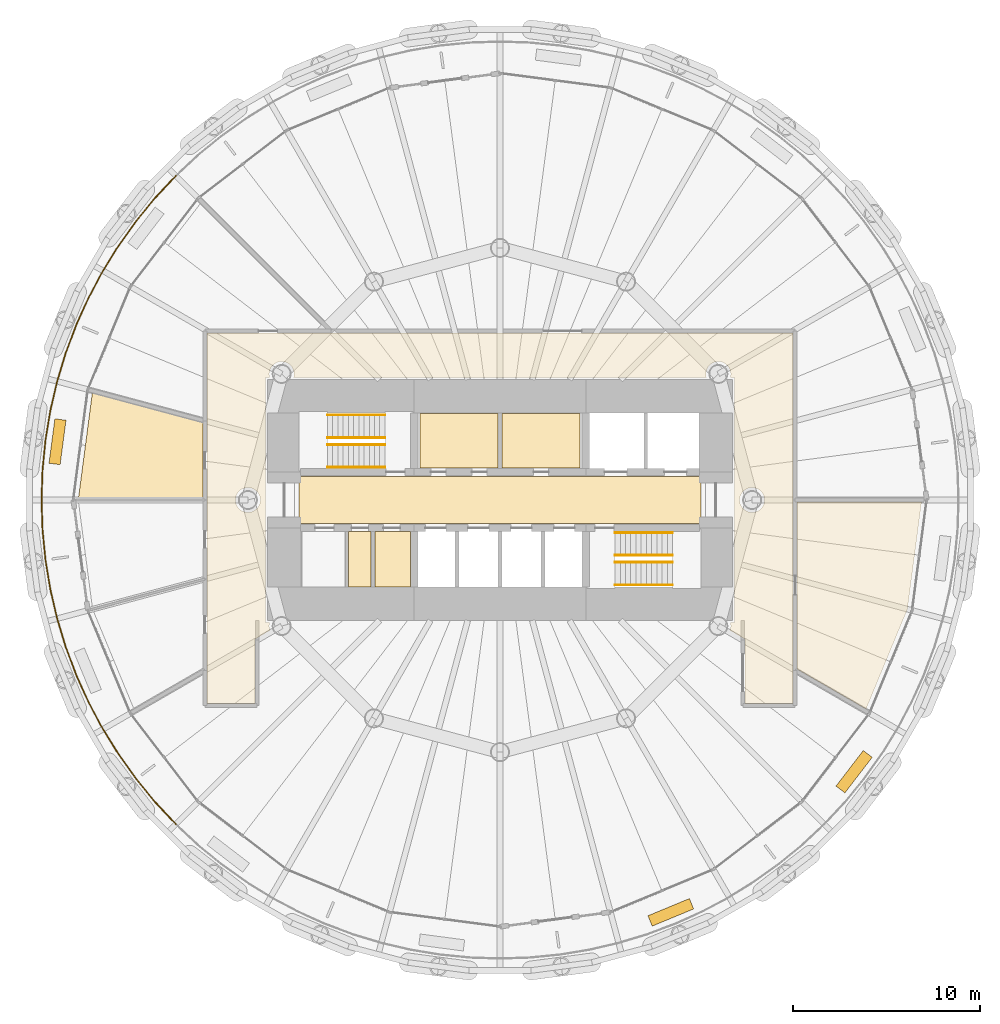
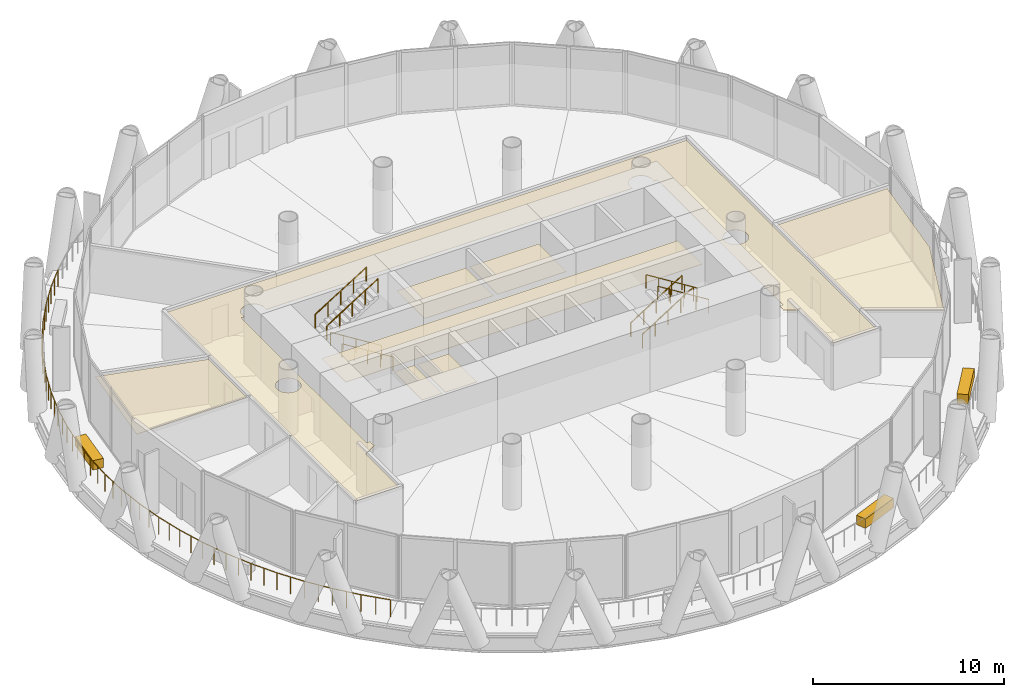
# One storey, part 13 of 15: 11 coverings, 9 railings.
"""IFC4 building model written with IfcOpenShell, lengths in metres."""

import ifcopenshell
import ifcopenshell.guid

model = None  # the IFC model being written
_history = None  # IfcOwnerHistory: only IFC2X3 demands one
_inside = {}  # id of a spatial element -> (the spatial element, [elements in it])
_under = {}  # id of a project, library or spatial element -> (it, [spatial elements below it])
_declared = {}  # id of a project -> (the project, [libraries it declares])
_typed = {}  # id of a type object -> (the type object, [elements of that type])
_made_of = {}  # id of a material, layer set ... -> (it, [elements and type objects made of it])


def new_model(schema):
    """Start an empty IFC model of exactly this schema.

    Asked for "IFC4X3", IfcOpenShell would pick the latest addendum, in which some entities
    have other attributes; the version numbers below select the first issue.
    IFC2X3 requires an IfcOwnerHistory on every rooted entity: one is made here for all.
    """
    global model, _history
    if schema == "IFC4X3":
        model = ifcopenshell.file(schema_version=(4, 3, 0, 0))
    else:
        model = ifcopenshell.file(schema=schema)
    _inside.clear()
    _under.clear()
    _declared.clear()
    _typed.clear()
    _made_of.clear()
    _history = None
    if model.schema == "IFC2X3":
        org = make("IfcOrganization", Name="unknown")
        user = make(
            "IfcPersonAndOrganization",
            ThePerson=make("IfcPerson", FamilyName="unknown"),
            TheOrganization=org,
        )
        app = make(
            "IfcApplication",
            ApplicationDeveloper=org,
            Version="unknown",
            ApplicationFullName="unknown",
            ApplicationIdentifier="unknown",
        )
        _history = make(
            "IfcOwnerHistory",
            OwningUser=user,
            OwningApplication=app,
            ChangeAction="ADDED",
            CreationDate=0,
        )
    return model


def make(cls, **values):
    """One entity of the class cls with the attributes given. An attribute that is None is left unset."""
    return model.create_entity(
        cls, **{name: value for name, value in values.items() if value is not None}
    )


def rooted(cls, **values):
    """An entity with a GlobalId (a new one), such as an element, a storey or a relation."""
    return make(cls, GlobalId=ifcopenshell.guid.new(), OwnerHistory=_history, **values)


def si_unit(unit_type, name, prefix=None):
    """IfcSIUnit, for example si_unit("LENGTHUNIT", "METRE", prefix="MILLI")."""
    return make("IfcSIUnit", UnitType=unit_type, Prefix=prefix, Name=name)


def assignment(units):
    """IfcUnitAssignment: the units of a project."""
    return None if units is None else make("IfcUnitAssignment", Units=units)


def point(xyz):
    """IfcCartesianPoint."""
    return None if xyz is None else make("IfcCartesianPoint", Coordinates=xyz)


def direction(xyz):
    """IfcDirection."""
    return None if xyz is None else make("IfcDirection", DirectionRatios=xyz)


def frame(location, z_axis=None, x_axis=None):
    """IfcAxis2Placement3D, a coordinate frame: its origin and axes. An axis left out is left unset."""
    return make(
        "IfcAxis2Placement3D",
        Location=point(location),
        Axis=direction(z_axis),
        RefDirection=direction(x_axis),
    )


def frame_2d(location, x_axis=None):
    """IfcAxis2Placement2D, a coordinate frame in the plane: its origin and x axis."""
    return make(
        "IfcAxis2Placement2D", Location=point(location), RefDirection=direction(x_axis)
    )


def origin():
    """The frame at (0, 0, 0) with its axes left unset."""
    return frame((0.0, 0.0, 0.0))


def origin_2d():
    """The frame at (0, 0) in the plane with its x axis left unset."""
    return frame_2d((0.0, 0.0))


def place(relative_to, where):
    """IfcLocalPlacement: puts the frame where relative to a parent placement (None: the world)."""
    return make(
        "IfcLocalPlacement", PlacementRelTo=relative_to, RelativePlacement=where
    )


def context(
    kind, dimensions, precision=None, world=None, true_north=None, identifier=None
):
    """IfcGeometricRepresentationContext, for example the 3D "Model" context."""
    return make(
        "IfcGeometricRepresentationContext",
        ContextIdentifier=identifier,
        ContextType=kind,
        CoordinateSpaceDimension=dimensions,
        Precision=precision,
        WorldCoordinateSystem=world,
        TrueNorth=true_north,
    )


def subcontext(parent, identifier, kind, view, scale=None):
    """IfcGeometricRepresentationSubContext, for example "Body" below "Model"."""
    return make(
        "IfcGeometricRepresentationSubContext",
        ContextIdentifier=identifier,
        ContextType=kind,
        ParentContext=parent,
        TargetScale=scale,
        TargetView=view,
    )


def project(units=None, contexts=None):
    """IfcProject with its units and contexts."""
    return rooted(
        "IfcProject",
        Name="project",
        RepresentationContexts=contexts,
        UnitsInContext=assignment(units),
    )


def spatial(cls, under=None, at=None, **own):
    """A site, building, storey or space (cls), placed at a placement, below another one or the project."""
    s = rooted(cls, ObjectPlacement=at, **own)
    if under is not None:
        _under.setdefault(under.id(), (under, []))[1].append(s)
    return s


def polyline(points):
    """IfcPolyline through the points."""
    return make("IfcPolyline", Points=[point(p) for p in points])


def profile(cls, at=None, kind="AREA", **sizes):
    """A parametric profile (cls). Its sizes go by their IFC names, for example OverallWidth=200.0."""
    return make(cls, ProfileType=kind, Position=at, **sizes)


def rectangle(**sizes):
    """IfcRectangleProfileDef."""
    return profile("IfcRectangleProfileDef", **sizes)


def circle(**sizes):
    """IfcCircleProfileDef."""
    return profile("IfcCircleProfileDef", **sizes)


def outline(outer, holes=None, kind="AREA"):
    """IfcArbitraryClosedProfileDef: a profile drawn as a closed curve; with holes, ...WithVoids."""
    if holes is None:
        return make("IfcArbitraryClosedProfileDef", ProfileType=kind, OuterCurve=outer)
    return make(
        "IfcArbitraryProfileDefWithVoids",
        ProfileType=kind,
        OuterCurve=outer,
        InnerCurves=holes,
    )


def extrude(swept, where, along, depth):
    """IfcExtrudedAreaSolid: the profile swept, set in the frame where, extruded along a direction by depth."""
    return make(
        "IfcExtrudedAreaSolid",
        SweptArea=swept,
        Position=where,
        ExtrudedDirection=direction(along),
        Depth=depth,
    )


def shape(context_of_items, identifier, shape_type, items):
    """IfcShapeRepresentation: the items that make up one representation, for example the "Body"."""
    return make(
        "IfcShapeRepresentation",
        ContextOfItems=context_of_items,
        RepresentationIdentifier=identifier,
        RepresentationType=shape_type,
        Items=items,
    )


def material(Name=None, Category=None):
    """IfcMaterial."""
    return make("IfcMaterial", Name=Name, Category=Category)


def layer(
    of_material, thickness, ventilated=None, Name=None, Category=None, Priority=None
):
    """IfcMaterialLayer: one layer of a wall or slab, of a material (None: an air gap)."""
    return make(
        "IfcMaterialLayer",
        Material=of_material,
        LayerThickness=thickness,
        IsVentilated=ventilated,
        Name=Name,
        Category=Category,
        Priority=Priority,
    )


def layer_set(layers, Name=None):
    """IfcMaterialLayerSet."""
    return make("IfcMaterialLayerSet", MaterialLayers=layers, LayerSetName=Name)


def made_of(thing, what):
    """Note that an element or type object is made of a material, layer set ...; save() writes the relation."""
    if what is not None:
        _made_of.setdefault(what.id(), (what, []))[1].append(thing)
    return thing


def type_object(cls, material=None, **own):
    """A type object (cls), such as IfcWallType, which elements share."""
    return made_of(rooted(cls, **own), material)


def element(
    cls,
    number,
    at=None,
    inside=None,
    cuts=None,
    type_object=None,
    material=None,
    context=None,
    identifier="Body",
    shape_type=None,
    held_by="IfcProductDefinitionShape",
    body=None,
    shapes=None,
    **own,
):
    """One element of the class cls, such as IfcWall. Its Tag is "e" and its number.

    at: its placement. inside: the storey or other place that contains it. cuts: it is an
    opening in that element (IfcRelVoidsElement). A single representation is given by context,
    identifier, shape_type and body (its items); several are given by shapes. held_by: the class
    of the entity that holds the representations. save() writes the other relations.
    """
    e = rooted(cls, Tag="e%d" % number, ObjectPlacement=at, **own)
    if body is not None:
        shapes = [shape(context, identifier, shape_type, body)]
    if shapes is not None:
        e.Representation = make(held_by, Representations=shapes)
    if inside is not None:
        _inside.setdefault(inside.id(), (inside, []))[1].append(e)
    if cuts is not None:
        rooted(
            "IfcRelVoidsElement", RelatingBuildingElement=cuts, RelatedOpeningElement=e
        )
    if type_object is not None:
        _typed.setdefault(type_object.id(), (type_object, []))[1].append(e)
    return made_of(e, material)


def aggregate(whole, parts):
    """IfcRelAggregates: a whole, such as a stair, and the parts it consists of."""
    return rooted("IfcRelAggregates", RelatingObject=whole, RelatedObjects=parts)


def save(model, path):
    """Write the relations noted so far, then the file.

    IfcRelAggregates (storeys below a building ...), IfcRelContainedInSpatialStructure (elements
    in a storey), IfcRelDefinesByType, IfcRelAssociatesMaterial and IfcRelDeclares: one each for
    every whole, place, type object, material and project.
    """
    for whole, parts in _under.values():
        aggregate(whole, parts)
    for where, things in _inside.values():
        rooted(
            "IfcRelContainedInSpatialStructure",
            RelatedElements=things,
            RelatingStructure=where,
        )
    for kind, things in _typed.values():
        rooted("IfcRelDefinesByType", RelatedObjects=things, RelatingType=kind)
    for what, things in _made_of.values():
        rooted("IfcRelAssociatesMaterial", RelatedObjects=things, RelatingMaterial=what)
    for by, libraries in _declared.values():
        rooted("IfcRelDeclares", RelatingContext=by, RelatedDefinitions=libraries)
    model.write(path)


model = new_model("IFC4")

# Units and contexts
model_context = context("Model", 3, precision=1e-05, world=origin(), true_north=direction((0.0, 1.0)))
body_context = subcontext(model_context, "Body", "Model", "MODEL_VIEW")
ifc_project = project(units=[si_unit("LENGTHUNIT", "METRE"), si_unit("AREAUNIT", "SQUARE_METRE"), si_unit("VOLUMEUNIT", "CUBIC_METRE"), si_unit("PLANEANGLEUNIT", "RADIAN"), si_unit("MASSUNIT", "GRAM", prefix="KILO")], contexts=[model_context])

# Site, building, storey
site_placement = place(None, origin())
site = spatial("IfcSite", under=ifc_project, at=site_placement, CompositionType="ELEMENT")
building_placement = place(site_placement, origin())
building = spatial("IfcBuilding", under=site, at=building_placement, Name="Qaws Media Tower", CompositionType="ELEMENT")
storey_placement = place(building_placement, frame((0.0, 0.0, 114.199951171875)))
storey = spatial("IfcBuildingStorey", under=building, at=storey_placement, Name="L25", CompositionType="ELEMENT", Elevation=114.199951171875)

# Railing
ifc_material_1 = material(Name="Stainless steel and glass guard", Category="steel")
railing_type_1 = type_object("IfcRailingType", Name="Balcony guard 1100", PredefinedType="GUARDRAIL", material=ifc_material_1)
railing_placement = place(storey_placement, frame((42.640625, 67.359375, 0.0)))
element("IfcRailing", 1, at=railing_placement, inside=storey, type_object=railing_type_1, Name="GR1 balcony guard L25-2", PredefinedType="GUARDRAIL", context=body_context, shape_type="SweptSolid", body=[
    extrude(circle(Radius=0.02392578125, at=origin_2d()), frame((0.0, 0.0, 1.076171875), z_axis=(-0.683708559442, -0.729755168358, 0.0), x_axis=(0.729755168358, -0.683708559442, 0.0)), (0.0, 0.0, 1.0), 1.6064453125),
    extrude(circle(Radius=0.02392578125, at=origin_2d()), frame((-1.098388671875, -1.17236328125, 1.076171875), z_axis=(-0.634321269282, -0.773069548835, 0.0), x_axis=(0.773069548835, -0.634321269282, 0.0)), (0.0, 0.0, 1.0), 1.6064453125),
    extrude(circle(Radius=0.02392578125, at=origin_2d()), frame((-2.117431640625, -2.414306640625, 1.076171875), z_axis=(-0.582473761618, -0.812849504538, 0.0), x_axis=(0.812849504538, -0.582473761618, 0.0)), (0.0, 0.0, 1.0), 1.606689453125),
    extrude(circle(Radius=0.02392578125, at=origin_2d()), frame((-3.05322265625, -3.72021484375, 1.076171875), z_axis=(-0.528085199, -0.849191393384, 0.0), x_axis=(0.849191393384, -0.528085199, 0.0)), (0.0, 0.0, 1.0), 1.6064453125),
    extrude(circle(Radius=0.02392578125, at=origin_2d()), frame((-3.901611328125, -5.08447265625, 1.076171875), z_axis=(-0.471424145356, -0.881906613636, 0.0), x_axis=(0.881906613636, -0.471424145356, 0.0)), (0.0, 0.0, 1.0), 1.6064453125),
    extrude(circle(Radius=0.02392578125, at=origin_2d()), frame((-4.658935546875, -6.501220703125, 1.076171875), z_axis=(-0.412600349797, -0.910912153474, 0.0), x_axis=(0.910912153474, -0.412600349797, 0.0)), (0.0, 0.0, 1.0), 1.6064453125),
    extrude(circle(Radius=0.02392578125, at=origin_2d()), frame((-5.32177734375, -7.964599609375, 1.076171875), z_axis=(-0.352289041388, -0.935891249728, 0.0), x_axis=(0.935891249728, -0.352289041388, 0.0)), (0.0, 0.0, 1.0), 1.6064453125),
    extrude(circle(Radius=0.02392578125, at=origin_2d()), frame((-5.8876953125, -9.468017578125, 1.076171875), z_axis=(-0.290260453496, -0.956947683594, 0.0), x_axis=(0.956947683594, -0.290260453496, 0.0)), (0.0, 0.0, 1.0), 1.6064453125),
    extrude(circle(Radius=0.02392578125, at=origin_2d()), frame((-6.35400390625, -11.00537109375, 1.076171875), z_axis=(-0.227200790134, -0.973847935236, 0.0), x_axis=(0.973847935236, -0.227200790134, 0.0)), (0.0, 0.0, 1.0), 1.6064453125),
    extrude(circle(Radius=0.02392578125, at=origin_2d()), frame((-6.718994140625, -12.56982421875, 1.076171875), z_axis=(-0.162895674781, -0.986643298836, 0.0), x_axis=(0.986643298836, -0.162895674781, 0.0)), (0.0, 0.0, 1.0), 1.606689453125),
    extrude(circle(Radius=0.02392578125, at=origin_2d()), frame((-6.980712890625, -14.155029296875, 1.076171875), z_axis=(-0.098028924866, -0.995183565926, 0.0), x_axis=(0.995183565926, -0.098028924866, 0.0)), (0.0, 0.0, 1.0), 1.6064453125),
    extrude(circle(Radius=0.02392578125, at=origin_2d()), frame((-7.13818359375, -15.753662109375, 1.076171875), z_axis=(-0.032672223792, -0.999466120383, 0.0), x_axis=(0.999466120383, -0.032672223792, 0.0)), (0.0, 0.0, 1.0), 1.606689453125),
    extrude(circle(Radius=0.02392578125, at=origin_2d()), frame((-7.190673828125, -17.359375, 1.076171875), z_axis=(0.032672223792, -0.999466120383, 0.0), x_axis=(0.999466120383, 0.032672223792, 0.0)), (0.0, 0.0, 1.0), 1.606689453125),
    extrude(circle(Radius=0.02392578125, at=origin_2d()), frame((-7.13818359375, -18.965087890625, 1.076171875), z_axis=(0.098028924866, -0.995183565926, 0.0), x_axis=(0.995183565926, 0.098028924866, 0.0)), (0.0, 0.0, 1.0), 1.6064453125),
    extrude(circle(Radius=0.02392578125, at=origin_2d()), frame((-6.980712890625, -20.563720703125, 1.076171875), z_axis=(0.162895674781, -0.986643298836, 0.0), x_axis=(0.986643298836, 0.162895674781, 0.0)), (0.0, 0.0, 1.0), 1.606689453125),
    extrude(circle(Radius=0.02392578125, at=origin_2d()), frame((-6.718994140625, -22.14892578125, 1.076171875), z_axis=(0.227200790134, -0.973847935236, 0.0), x_axis=(0.973847935236, 0.227200790134, 0.0)), (0.0, 0.0, 1.0), 1.6064453125),
    extrude(circle(Radius=0.02392578125, at=origin_2d()), frame((-6.35400390625, -23.71337890625, 1.076171875), z_axis=(0.290260453496, -0.956947683594, 0.0), x_axis=(0.956947683594, 0.290260453496, 0.0)), (0.0, 0.0, 1.0), 1.6064453125),
    extrude(circle(Radius=0.02392578125, at=origin_2d()), frame((-5.8876953125, -25.250732421875, 1.076171875), z_axis=(0.352289041388, -0.935891249728, 0.0), x_axis=(0.935891249728, 0.352289041388, 0.0)), (0.0, 0.0, 1.0), 1.6064453125),
    extrude(circle(Radius=0.02392578125, at=origin_2d()), frame((-5.32177734375, -26.754150390625, 1.076171875), z_axis=(0.412600349797, -0.910912153474, 0.0), x_axis=(0.910912153474, 0.412600349797, 0.0)), (0.0, 0.0, 1.0), 1.6064453125),
    extrude(circle(Radius=0.02392578125, at=origin_2d()), frame((-4.658935546875, -28.217529296875, 1.076171875), z_axis=(0.471424145356, -0.881906613636, 0.0), x_axis=(0.881906613636, 0.471424145356, 0.0)), (0.0, 0.0, 1.0), 1.6064453125),
    extrude(circle(Radius=0.02392578125, at=origin_2d()), frame((-3.901611328125, -29.63427734375, 1.076171875), z_axis=(0.528085199, -0.849191393384, 0.0), x_axis=(0.849191393384, 0.528085199, 0.0)), (0.0, 0.0, 1.0), 1.6064453125),
    extrude(circle(Radius=0.02392578125, at=origin_2d()), frame((-3.05322265625, -30.99853515625, 1.076171875), z_axis=(0.582473761618, -0.812849504538, 0.0), x_axis=(0.812849504538, 0.582473761618, 0.0)), (0.0, 0.0, 1.0), 1.606689453125),
    extrude(circle(Radius=0.02392578125, at=origin_2d()), frame((-2.117431640625, -32.304443359375, 1.076171875), z_axis=(0.634321269282, -0.773069548835, 0.0), x_axis=(0.773069548835, 0.634321269282, 0.0)), (0.0, 0.0, 1.0), 1.6064453125),
    extrude(circle(Radius=0.02392578125, at=origin_2d()), frame((-1.098388671875, -33.54638671875, 1.076171875), z_axis=(0.683708559442, -0.729755168358, 0.0), x_axis=(0.729755168358, 0.683708559442, 0.0)), (0.0, 0.0, 1.0), 1.6064453125),
    extrude(circle(Radius=0.02099609375, at=origin_2d()), origin(), (0.0, 0.0, 1.0), 1.052001953125),
    extrude(circle(Radius=0.02099609375, at=origin_2d()), frame((-0.54931640625, -0.586181640625, 0.0)), (0.0, 0.0, 1.0), 1.052001953125),
    extrude(circle(Radius=0.02099609375, at=origin_2d()), frame((-1.098388671875, -1.17236328125, 0.0)), (0.0, 0.0, 1.0), 1.052001953125),
    extrude(circle(Radius=0.02099609375, at=origin_2d()), frame((-1.60791015625, -1.79345703125, 0.0)), (0.0, 0.0, 1.0), 1.052001953125),
    extrude(circle(Radius=0.02099609375, at=origin_2d()), frame((-2.117431640625, -2.414306640625, 0.0)), (0.0, 0.0, 1.0), 1.052001953125),
    extrude(circle(Radius=0.02099609375, at=origin_2d()), frame((-2.58544921875, -3.0673828125, 0.0)), (0.0, 0.0, 1.0), 1.052001953125),
    extrude(circle(Radius=0.02099609375, at=origin_2d()), frame((-3.05322265625, -3.72021484375, 0.0)), (0.0, 0.0, 1.0), 1.052001953125),
    extrude(circle(Radius=0.02099609375, at=origin_2d()), frame((-3.4775390625, -4.40234375, 0.0)), (0.0, 0.0, 1.0), 1.052001953125),
    extrude(circle(Radius=0.02099609375, at=origin_2d()), frame((-3.901611328125, -5.08447265625, 0.0)), (0.0, 0.0, 1.0), 1.052001953125),
    extrude(circle(Radius=0.02099609375, at=origin_2d()), frame((-4.2802734375, -5.79296875, 0.0)), (0.0, 0.0, 1.0), 1.052001953125),
    extrude(circle(Radius=0.02099609375, at=origin_2d()), frame((-4.658935546875, -6.501220703125, 0.0)), (0.0, 0.0, 1.0), 1.052001953125),
    extrude(circle(Radius=0.02099609375, at=origin_2d()), frame((-4.990234375, -7.23291015625, 0.0)), (0.0, 0.0, 1.0), 1.052001953125),
    extrude(circle(Radius=0.02099609375, at=origin_2d()), frame((-5.32177734375, -7.964599609375, 0.0)), (0.0, 0.0, 1.0), 1.052001953125),
    extrude(circle(Radius=0.02099609375, at=origin_2d()), frame((-5.604736328125, -8.71630859375, 0.0)), (0.0, 0.0, 1.0), 1.052001953125),
    extrude(circle(Radius=0.02099609375, at=origin_2d()), frame((-5.8876953125, -9.468017578125, 0.0)), (0.0, 0.0, 1.0), 1.052001953125),
    extrude(circle(Radius=0.02099609375, at=origin_2d()), frame((-6.120849609375, -10.23681640625, 0.0)), (0.0, 0.0, 1.0), 1.052001953125),
    extrude(circle(Radius=0.02099609375, at=origin_2d()), frame((-6.35400390625, -11.00537109375, 0.0)), (0.0, 0.0, 1.0), 1.052001953125),
    extrude(circle(Radius=0.02099609375, at=origin_2d()), frame((-6.53662109375, -11.78759765625, 0.0)), (0.0, 0.0, 1.0), 1.052001953125),
    extrude(circle(Radius=0.02099609375, at=origin_2d()), frame((-6.718994140625, -12.56982421875, 0.0)), (0.0, 0.0, 1.0), 1.052001953125),
    extrude(circle(Radius=0.02099609375, at=origin_2d()), frame((-6.849853515625, -13.3623046875, 0.0)), (0.0, 0.0, 1.0), 1.052001953125),
    extrude(circle(Radius=0.02099609375, at=origin_2d()), frame((-6.980712890625, -14.155029296875, 0.0)), (0.0, 0.0, 1.0), 1.052001953125),
    extrude(circle(Radius=0.02099609375, at=origin_2d()), frame((-7.0595703125, -14.954345703125, 0.0)), (0.0, 0.0, 1.0), 1.052001953125),
    extrude(circle(Radius=0.02099609375, at=origin_2d()), frame((-7.13818359375, -15.753662109375, 0.0)), (0.0, 0.0, 1.0), 1.052001953125),
    extrude(circle(Radius=0.02099609375, at=origin_2d()), frame((-7.16455078125, -16.556640625, 0.0)), (0.0, 0.0, 1.0), 1.052001953125),
    extrude(circle(Radius=0.02099609375, at=origin_2d()), frame((-7.190673828125, -17.359375, 0.0)), (0.0, 0.0, 1.0), 1.052001953125),
    extrude(circle(Radius=0.02099609375, at=origin_2d()), frame((-7.16455078125, -18.162109375, 0.0)), (0.0, 0.0, 1.0), 1.052001953125),
    extrude(circle(Radius=0.02099609375, at=origin_2d()), frame((-7.13818359375, -18.965087890625, 0.0)), (0.0, 0.0, 1.0), 1.052001953125),
    extrude(circle(Radius=0.02099609375, at=origin_2d()), frame((-7.0595703125, -19.764404296875, 0.0)), (0.0, 0.0, 1.0), 1.052001953125),
    extrude(circle(Radius=0.02099609375, at=origin_2d()), frame((-6.980712890625, -20.563720703125, 0.0)), (0.0, 0.0, 1.0), 1.052001953125),
    extrude(circle(Radius=0.02099609375, at=origin_2d()), frame((-6.849853515625, -21.3564453125, 0.0)), (0.0, 0.0, 1.0), 1.052001953125),
    extrude(circle(Radius=0.02099609375, at=origin_2d()), frame((-6.718994140625, -22.14892578125, 0.0)), (0.0, 0.0, 1.0), 1.052001953125),
    extrude(circle(Radius=0.02099609375, at=origin_2d()), frame((-6.53662109375, -22.93115234375, 0.0)), (0.0, 0.0, 1.0), 1.052001953125),
    extrude(circle(Radius=0.02099609375, at=origin_2d()), frame((-6.35400390625, -23.71337890625, 0.0)), (0.0, 0.0, 1.0), 1.052001953125),
    extrude(circle(Radius=0.02099609375, at=origin_2d()), frame((-6.120849609375, -24.48193359375, 0.0)), (0.0, 0.0, 1.0), 1.052001953125),
    extrude(circle(Radius=0.02099609375, at=origin_2d()), frame((-5.8876953125, -25.250732421875, 0.0)), (0.0, 0.0, 1.0), 1.052001953125),
    extrude(circle(Radius=0.02099609375, at=origin_2d()), frame((-5.604736328125, -26.00244140625, 0.0)), (0.0, 0.0, 1.0), 1.052001953125),
    extrude(circle(Radius=0.02099609375, at=origin_2d()), frame((-5.32177734375, -26.754150390625, 0.0)), (0.0, 0.0, 1.0), 1.052001953125),
    extrude(circle(Radius=0.02099609375, at=origin_2d()), frame((-4.990234375, -27.48583984375, 0.0)), (0.0, 0.0, 1.0), 1.052001953125),
    extrude(circle(Radius=0.02099609375, at=origin_2d()), frame((-4.658935546875, -28.217529296875, 0.0)), (0.0, 0.0, 1.0), 1.052001953125),
    extrude(circle(Radius=0.02099609375, at=origin_2d()), frame((-4.2802734375, -28.92578125, 0.0)), (0.0, 0.0, 1.0), 1.052001953125),
    extrude(circle(Radius=0.02099609375, at=origin_2d()), frame((-3.901611328125, -29.63427734375, 0.0)), (0.0, 0.0, 1.0), 1.052001953125),
    extrude(circle(Radius=0.02099609375, at=origin_2d()), frame((-3.4775390625, -30.31640625, 0.0)), (0.0, 0.0, 1.0), 1.052001953125),
    extrude(circle(Radius=0.02099609375, at=origin_2d()), frame((-3.05322265625, -30.99853515625, 0.0)), (0.0, 0.0, 1.0), 1.052001953125),
    extrude(circle(Radius=0.02099609375, at=origin_2d()), frame((-2.58544921875, -31.6513671875, 0.0)), (0.0, 0.0, 1.0), 1.052001953125),
    extrude(circle(Radius=0.02099609375, at=origin_2d()), frame((-2.117431640625, -32.304443359375, 0.0)), (0.0, 0.0, 1.0), 1.052001953125),
    extrude(circle(Radius=0.02099609375, at=origin_2d()), frame((-1.60791015625, -32.92529296875, 0.0)), (0.0, 0.0, 1.0), 1.052001953125),
    extrude(circle(Radius=0.02099609375, at=origin_2d()), frame((-1.098388671875, -33.54638671875, 0.0)), (0.0, 0.0, 1.0), 1.052001953125),
    extrude(circle(Radius=0.02099609375, at=origin_2d()), frame((-0.54931640625, -34.132568359375, 0.0)), (0.0, 0.0, 1.0), 1.052001953125),
    extrude(circle(Radius=0.02099609375, at=origin_2d()), frame((0.0, -34.71875, 0.0)), (0.0, 0.0, 1.0), 1.052001953125),
])

# Coverings
ifc_material_2 = material(Name="600 x 600 mineral fibre tiles in exposed grid, suspended", Category="mineral fibre")
ifc_layer_1 = layer(ifc_material_2, 0.02001953125)
ifc_layer_set_1 = layer_set([ifc_layer_1], Name="Mineral fibre tile ceiling 20")
covering_type_1 = type_object("IfcCoveringType", Name="Mineral fibre tile ceiling 20", PredefinedType="CEILING", material=ifc_layer_set_1)
covering_1_placement = place(storey_placement, frame((0.0, 0.0, 2.85009765625)))
element("IfcCovering", 2, at=covering_1_placement, inside=storey, type_object=covering_type_1, Name="CL1 ceiling L25-C07 Ladies toilets", PredefinedType="CEILING", context=body_context, shape_type="SweptSolid", body=[
    extrude(outline(polyline([(55.719970703125, 51.719970703125), (55.719970703125, 54.6298828125), (59.8798828125, 54.6298828125), (59.8798828125, 51.719970703125), (55.719970703125, 51.719970703125)])), origin(), (0.0, 0.0, 1.0), 0.02001953125),
])
covering_2_placement = place(storey_placement, frame((0.0, 0.0, 2.85009765625)))
element("IfcCovering", 3, at=covering_2_placement, inside=storey, type_object=covering_type_1, Name="CL1 ceiling L25-C08 Gents toilets", PredefinedType="CEILING", context=body_context, shape_type="SweptSolid", body=[
    extrude(outline(polyline([(60.1201171875, 51.719970703125), (60.1201171875, 54.6298828125), (64.280029296875, 54.6298828125), (64.280029296875, 51.719970703125), (60.1201171875, 51.719970703125)])), origin(), (0.0, 0.0, 1.0), 0.02001953125),
])
covering_3_placement = place(storey_placement, frame((0.0, 0.0, 2.85009765625)))
element("IfcCovering", 4, at=covering_3_placement, inside=storey, type_object=covering_type_1, Name="CL1 ceiling L25-01 Corridor", PredefinedType="CEILING", context=body_context, shape_type="SweptSolid", body=[
    extrude(outline(polyline([(44.3125, 39.112548828125), (44.3125, 58.9375), (75.6875, 58.9375), (75.6875, 39.112548828125), (73.112548828125, 39.112548828125), (73.112548828125, 42.559326171875), (72.31689453125, 43.018798828125), (72.336669921875, 43.0771484375), (72.353515625, 43.162841796875), (72.359375, 43.25), (72.353515625, 43.337158203125), (72.336669921875, 43.4228515625), (72.33154296875, 43.4375), (72.5625, 43.4375), (72.5625, 56.5625), (72.33154296875, 56.5625), (72.336669921875, 56.5771484375), (72.353515625, 56.662841796875), (72.359375, 56.75), (72.353515625, 56.837158203125), (72.336669921875, 56.9228515625), (72.30859375, 57.005615234375), (72.269775390625, 57.083984375), (72.22119140625, 57.15673828125), (72.163818359375, 57.222412109375), (72.097900390625, 57.280029296875), (72.025390625, 57.32861328125), (71.947021484375, 57.3671875), (71.8642578125, 57.395263671875), (71.778564453125, 57.412353515625), (71.69140625, 57.41796875), (71.604248046875, 57.412353515625), (71.5185546875, 57.395263671875), (71.435791015625, 57.3671875), (71.357421875, 57.32861328125), (71.28466796875, 57.280029296875), (71.218994140625, 57.222412109375), (71.161376953125, 57.15673828125), (71.11279296875, 57.083984375), (71.07421875, 57.005615234375), (71.046142578125, 56.9228515625), (71.029052734375, 56.837158203125), (71.023193359375, 56.75), (71.029052734375, 56.662841796875), (71.046142578125, 56.5771484375), (71.051025390625, 56.5625), (48.948974609375, 56.5625), (48.953857421875, 56.5771484375), (48.970947265625, 56.662841796875), (48.976806640625, 56.75), (48.970947265625, 56.837158203125), (48.953857421875, 56.9228515625), (48.92578125, 57.005615234375), (48.88720703125, 57.083984375), (48.838623046875, 57.15673828125), (48.781005859375, 57.222412109375), (48.71533203125, 57.280029296875), (48.642578125, 57.32861328125), (48.564208984375, 57.3671875), (48.4814453125, 57.395263671875), (48.395751953125, 57.412353515625), (48.30859375, 57.41796875), (48.221435546875, 57.412353515625), (48.1357421875, 57.395263671875), (48.052978515625, 57.3671875), (47.974609375, 57.32861328125), (47.902099609375, 57.280029296875), (47.836181640625, 57.222412109375), (47.77880859375, 57.15673828125), (47.730224609375, 57.083984375), (47.69140625, 57.005615234375), (47.663330078125, 56.9228515625), (47.646484375, 56.837158203125), (47.640625, 56.75), (47.646484375, 56.662841796875), (47.663330078125, 56.5771484375), (47.66845703125, 56.5625), (47.4375, 56.5625), (47.4375, 43.4375), (47.66845703125, 43.4375), (47.663330078125, 43.4228515625), (47.646484375, 43.337158203125), (47.640625, 43.25), (47.646484375, 43.162841796875), (47.663330078125, 43.0771484375), (47.68310546875, 43.018798828125), (46.887451171875, 42.559326171875), (46.887451171875, 39.112548828125), (44.3125, 39.112548828125)]), holes=[polyline([(47.1171875, 49.744384765625), (47.145263671875, 49.8271484375), (47.162353515625, 49.912841796875), (47.16796875, 50.0), (47.162353515625, 50.087158203125), (47.145263671875, 50.1728515625), (47.1171875, 50.255615234375), (47.07861328125, 50.333984375), (47.030029296875, 50.40673828125), (46.972412109375, 50.472412109375), (46.90673828125, 50.530029296875), (46.833984375, 50.57861328125), (46.755615234375, 50.6171875), (46.6728515625, 50.645263671875), (46.587158203125, 50.662353515625), (46.5, 50.66796875), (46.412841796875, 50.662353515625), (46.3271484375, 50.645263671875), (46.244384765625, 50.6171875), (46.166015625, 50.57861328125), (46.09326171875, 50.530029296875), (46.027587890625, 50.472412109375), (45.969970703125, 50.40673828125), (45.92138671875, 50.333984375), (45.8828125, 50.255615234375), (45.854736328125, 50.1728515625), (45.837646484375, 50.087158203125), (45.83203125, 50.0), (45.837646484375, 49.912841796875), (45.854736328125, 49.8271484375), (45.8828125, 49.744384765625), (45.92138671875, 49.666015625), (45.969970703125, 49.59326171875), (46.027587890625, 49.527587890625), (46.09326171875, 49.469970703125), (46.166015625, 49.42138671875), (46.244384765625, 49.3828125), (46.3271484375, 49.354736328125), (46.412841796875, 49.337646484375), (46.5, 49.33203125), (46.587158203125, 49.337646484375), (46.6728515625, 49.354736328125), (46.755615234375, 49.3828125), (46.833984375, 49.42138671875), (46.90673828125, 49.469970703125), (46.972412109375, 49.527587890625), (47.030029296875, 49.59326171875), (47.07861328125, 49.666015625), (47.1171875, 49.744384765625)]), polyline([(74.145263671875, 49.8271484375), (74.162353515625, 49.912841796875), (74.16796875, 50.0), (74.162353515625, 50.087158203125), (74.145263671875, 50.1728515625), (74.1171875, 50.255615234375), (74.07861328125, 50.333984375), (74.030029296875, 50.40673828125), (73.972412109375, 50.472412109375), (73.90673828125, 50.530029296875), (73.833984375, 50.57861328125), (73.755615234375, 50.6171875), (73.6728515625, 50.645263671875), (73.587158203125, 50.662353515625), (73.5, 50.66796875), (73.412841796875, 50.662353515625), (73.3271484375, 50.645263671875), (73.244384765625, 50.6171875), (73.166015625, 50.57861328125), (73.09326171875, 50.530029296875), (73.027587890625, 50.472412109375), (72.969970703125, 50.40673828125), (72.92138671875, 50.333984375), (72.8828125, 50.255615234375), (72.854736328125, 50.1728515625), (72.837646484375, 50.087158203125), (72.83203125, 50.0), (72.837646484375, 49.912841796875), (72.854736328125, 49.8271484375), (72.8828125, 49.744384765625), (72.92138671875, 49.666015625), (72.969970703125, 49.59326171875), (73.027587890625, 49.527587890625), (73.09326171875, 49.469970703125), (73.166015625, 49.42138671875), (73.244384765625, 49.3828125), (73.3271484375, 49.354736328125), (73.412841796875, 49.337646484375), (73.5, 49.33203125), (73.587158203125, 49.337646484375), (73.6728515625, 49.354736328125), (73.755615234375, 49.3828125), (73.833984375, 49.42138671875), (73.90673828125, 49.469970703125), (73.972412109375, 49.527587890625), (74.030029296875, 49.59326171875), (74.07861328125, 49.666015625), (74.1171875, 49.744384765625), (74.145263671875, 49.8271484375)])]), origin(), (0.0, 0.0, 1.0), 0.02001953125),
])
covering_4_placement = place(storey_placement, frame((0.0, 0.0, 2.85009765625)))
element("IfcCovering", 5, at=covering_4_placement, inside=storey, type_object=covering_type_1, Name="CL1 ceiling L25-04 Office", PredefinedType="CEILING", context=body_context, shape_type="SweptSolid", body=[
    extrude(outline(polyline([(38.16943359375, 55.73291015625), (44.08740234375, 54.147216796875), (44.08740234375, 50.112548828125), (37.4296875, 50.112548828125), (38.16943359375, 55.73291015625)])), origin(), (0.0, 0.0, 1.0), 0.02001953125),
])
covering_5_placement = place(storey_placement, frame((0.0, 0.0, 2.85009765625)))
element("IfcCovering", 6, at=covering_5_placement, inside=storey, type_object=covering_type_1, Name="CL1 ceiling L25-08 Sales office", PredefinedType="CEILING", context=body_context, shape_type="SweptSolid", body=[
    extrude(outline(polyline([(81.815673828125, 44.154541015625), (79.602783203125, 38.812255859375), (75.91259765625, 40.94287109375), (75.91259765625, 49.887451171875), (82.5703125, 49.887451171875), (81.815673828125, 44.154541015625)])), origin(), (0.0, 0.0, 1.0), 0.02001953125),
])
covering_6_placement = place(storey_placement, frame((0.0, 0.0, 2.85009765625)))
element("IfcCovering", 7, at=covering_6_placement, inside=storey, type_object=covering_type_1, Name="CL1 ceiling L25-C05 Cleaner's room", PredefinedType="CEILING", context=body_context, shape_type="SweptSolid", body=[
    extrude(outline(polyline([(51.89990234375, 45.35009765625), (51.89990234375, 48.300048828125), (53.10009765625, 48.300048828125), (53.10009765625, 45.35009765625), (51.89990234375, 45.35009765625)])), origin(), (0.0, 0.0, 1.0), 0.02001953125),
])
covering_7_placement = place(storey_placement, frame((0.0, 0.0, 2.85009765625)))
element("IfcCovering", 8, at=covering_7_placement, inside=storey, type_object=covering_type_1, Name="CL1 ceiling L25-C06 First aid room", PredefinedType="CEILING", context=body_context, shape_type="SweptSolid", body=[
    extrude(outline(polyline([(53.300048828125, 45.35009765625), (53.300048828125, 48.300048828125), (55.199951171875, 48.300048828125), (55.199951171875, 45.35009765625), (53.300048828125, 45.35009765625)])), origin(), (0.0, 0.0, 1.0), 0.02001953125),
])
ifc_material_3 = material(Name="Precast concrete planter with trailing planting", Category="concrete")
ifc_layer_2 = layer(ifc_material_3, 0.60009765625)
ifc_layer_set_2 = layer_set([ifc_layer_2], Name="Planter 2400x600")
covering_type_2 = type_object("IfcCoveringType", Name="Planter 2400x600", PredefinedType="USERDEFINED", material=ifc_layer_set_2)
for number, where, z_axis, x_axis, name in (
    (9, (36.304443359375, 53.11962890625, 0.0), (0.0, 0.0, 1.0), (-0.13052619222, -0.991444861374, 0.0), "PL1 balcony planter L25-06"),
    (10, (69.146240234375, 27.919189453125, 0.0), (0.0, 0.0, 1.0), (0.923879532511, 0.382683432365, 0.0), "PL1 balcony planter L25-10"),
    (11, (78.961181640625, 35.45068359375, 0.0), (0.0, 0.0, 1.0), (0.608761429009, 0.793353340291, 0.0), "PL1 balcony planter L25-11"),
):
    element("IfcCovering", number, at=place(storey_placement, frame(where, z_axis=z_axis, x_axis=x_axis)), inside=storey, type_object=covering_type_2, Name=name, ObjectType="PLANTER", PredefinedType="USERDEFINED", context=body_context, shape_type="SweptSolid", body=[
        extrude(rectangle(XDim=2.39990234375, YDim=0.60009765625, at=origin_2d()), origin(), (0.0, 0.0, 1.0), 0.60009765625),
    ])
ifc_material_4 = material(Name="Two layers 12.5 moisture-resistant plasterboard on suspended metal furring", Category="gypsum")
ifc_layer_3 = layer(ifc_material_4, 0.02490234375)
ifc_layer_set_3 = layer_set([ifc_layer_3], Name="Plasterboard ceiling 25")
covering_type_3 = type_object("IfcCoveringType", Name="Plasterboard ceiling 25", PredefinedType="CEILING", material=ifc_layer_set_3)
covering_8_placement = place(storey_placement, frame((0.0, 0.0, 2.85009765625)))
element("IfcCovering", 12, at=covering_8_placement, inside=storey, type_object=covering_type_3, Name="CL2 ceiling L25-C01 Lift lobby", PredefinedType="CEILING", context=body_context, shape_type="SweptSolid", body=[
    extrude(outline(polyline([(49.25, 48.75), (49.25, 51.25), (70.75, 51.25), (70.75, 48.75), (49.25, 48.75)])), origin(), (0.0, 0.0, 1.0), 0.02490234375),
])

# Railings
ifc_material_5 = material(Name="Steel tube handrail", Category="steel")
railing_type_2 = type_object("IfcRailingType", Name="Stair handrail 900", PredefinedType="HANDRAIL", material=ifc_material_5)
for number, where, name in (
    (13, (53.840087890625, 51.75, 0.175048828125), "HR1 handrail S1 flight 1 L25"),
    (14, (53.840087890625, 52.9599609375, 0.175048828125), "HR1 handrail S1 flight 1 L25"),
):
    element("IfcRailing", number, at=place(storey_placement, frame(where)), inside=storey, type_object=railing_type_2, Name=name, PredefinedType="HANDRAIL", context=body_context, shape_type="SweptSolid", body=[
        extrude(circle(Radius=0.02392578125, at=origin_2d()), frame((0.0, 0.0, 0.8759765625), z_axis=(-0.847998304005, 0.0, 0.529998940003), x_axis=(0.0, -1.0, 0.0)), (0.0, 0.0, 1.0), 3.632080078125),
        extrude(circle(Radius=0.02099609375, at=origin_2d()), origin(), (0.0, 0.0, 1.0), 0.851806640625),
        extrude(circle(Radius=0.02099609375, at=origin_2d()), frame((-0.77001953125, 0.0, 0.481201171875)), (0.0, 0.0, 1.0), 0.851806640625),
        extrude(circle(Radius=0.02099609375, at=origin_2d()), frame((-1.5400390625, 0.0, 0.96240234375)), (0.0, 0.0, 1.0), 0.851806640625),
        extrude(circle(Radius=0.02099609375, at=origin_2d()), frame((-2.31005859375, 0.0, 1.44384765625)), (0.0, 0.0, 1.0), 0.851806640625),
        extrude(circle(Radius=0.02099609375, at=origin_2d()), frame((-3.080078125, 0.0, 1.925048828125)), (0.0, 0.0, 1.0), 0.851806640625),
    ])
for number, where, name in (
    (15, (50.760009765625, 54.550048828125, 2.275146484375), "HR1 handrail S1 flight 2 L25"),
    (16, (50.760009765625, 53.340087890625, 2.275146484375), "HR1 handrail S1 flight 2 L25"),
):
    element("IfcRailing", number, at=place(storey_placement, frame(where)), inside=storey, type_object=railing_type_2, Name=name, PredefinedType="HANDRAIL", context=body_context, shape_type="SweptSolid", body=[
        extrude(circle(Radius=0.02392578125, at=origin_2d()), frame((0.0, 0.0, 0.8759765625), z_axis=(0.848028513186, 0.0, 0.529950602248), x_axis=(0.0, 1.0, 0.0)), (0.0, 0.0, 1.0), 3.632080078125),
        extrude(circle(Radius=0.02099609375, at=origin_2d()), origin(), (0.0, 0.0, 1.0), 0.851806640625),
        extrude(circle(Radius=0.02099609375, at=origin_2d()), frame((0.77001953125, 0.0, 0.481201171875)), (0.0, 0.0, 1.0), 0.851806640625),
        extrude(circle(Radius=0.02099609375, at=origin_2d()), frame((1.5400390625, 0.0, 0.96240234375)), (0.0, 0.0, 1.0), 0.851806640625),
        extrude(circle(Radius=0.02099609375, at=origin_2d()), frame((2.31005859375, 0.0, 1.443603515625)), (0.0, 0.0, 1.0), 0.851806640625),
        extrude(circle(Radius=0.02099609375, at=origin_2d()), frame((3.080078125, 0.0, 1.9248046875)), (0.0, 0.0, 1.0), 0.851806640625),
    ])
for number, where, name in (
    (17, (66.159912109375, 48.25, 0.175048828125), "HR1 handrail S2 flight 1 L25"),
    (18, (66.159912109375, 47.0400390625, 0.175048828125), "HR1 handrail S2 flight 1 L25"),
):
    element("IfcRailing", number, at=place(storey_placement, frame(where)), inside=storey, type_object=railing_type_2, Name=name, PredefinedType="HANDRAIL", context=body_context, shape_type="SweptSolid", body=[
        extrude(circle(Radius=0.02392578125, at=origin_2d()), frame((0.0, 0.0, 0.8759765625), z_axis=(0.847998304005, 0.0, 0.529998940003), x_axis=(0.0, 1.0, 0.0)), (0.0, 0.0, 1.0), 3.632080078125),
        extrude(circle(Radius=0.02099609375, at=origin_2d()), origin(), (0.0, 0.0, 1.0), 0.851806640625),
        extrude(circle(Radius=0.02099609375, at=origin_2d()), frame((0.77001953125, 0.0, 0.481201171875)), (0.0, 0.0, 1.0), 0.851806640625),
        extrude(circle(Radius=0.02099609375, at=origin_2d()), frame((1.5400390625, 0.0, 0.96240234375)), (0.0, 0.0, 1.0), 0.851806640625),
        extrude(circle(Radius=0.02099609375, at=origin_2d()), frame((2.31005859375, 0.0, 1.44384765625)), (0.0, 0.0, 1.0), 0.851806640625),
        extrude(circle(Radius=0.02099609375, at=origin_2d()), frame((3.080078125, 0.0, 1.925048828125)), (0.0, 0.0, 1.0), 0.851806640625),
    ])
for number, where, name in (
    (19, (69.239990234375, 45.449951171875, 2.275146484375), "HR1 handrail S2 flight 2 L25"),
    (20, (69.239990234375, 46.659912109375, 2.275146484375), "HR1 handrail S2 flight 2 L25"),
):
    element("IfcRailing", number, at=place(storey_placement, frame(where)), inside=storey, type_object=railing_type_2, Name=name, PredefinedType="HANDRAIL", context=body_context, shape_type="SweptSolid", body=[
        extrude(circle(Radius=0.02392578125, at=origin_2d()), frame((0.0, 0.0, 0.8759765625), z_axis=(-0.848028513186, 0.0, 0.529950602248), x_axis=(0.0, -1.0, 0.0)), (0.0, 0.0, 1.0), 3.632080078125),
        extrude(circle(Radius=0.02099609375, at=origin_2d()), origin(), (0.0, 0.0, 1.0), 0.851806640625),
        extrude(circle(Radius=0.02099609375, at=origin_2d()), frame((-0.77001953125, 0.0, 0.481201171875)), (0.0, 0.0, 1.0), 0.851806640625),
        extrude(circle(Radius=0.02099609375, at=origin_2d()), frame((-1.5400390625, 0.0, 0.96240234375)), (0.0, 0.0, 1.0), 0.851806640625),
        extrude(circle(Radius=0.02099609375, at=origin_2d()), frame((-2.31005859375, 0.0, 1.443603515625)), (0.0, 0.0, 1.0), 0.851806640625),
        extrude(circle(Radius=0.02099609375, at=origin_2d()), frame((-3.080078125, 0.0, 1.9248046875)), (0.0, 0.0, 1.0), 0.851806640625),
    ])

save(model, "model.ifc")
